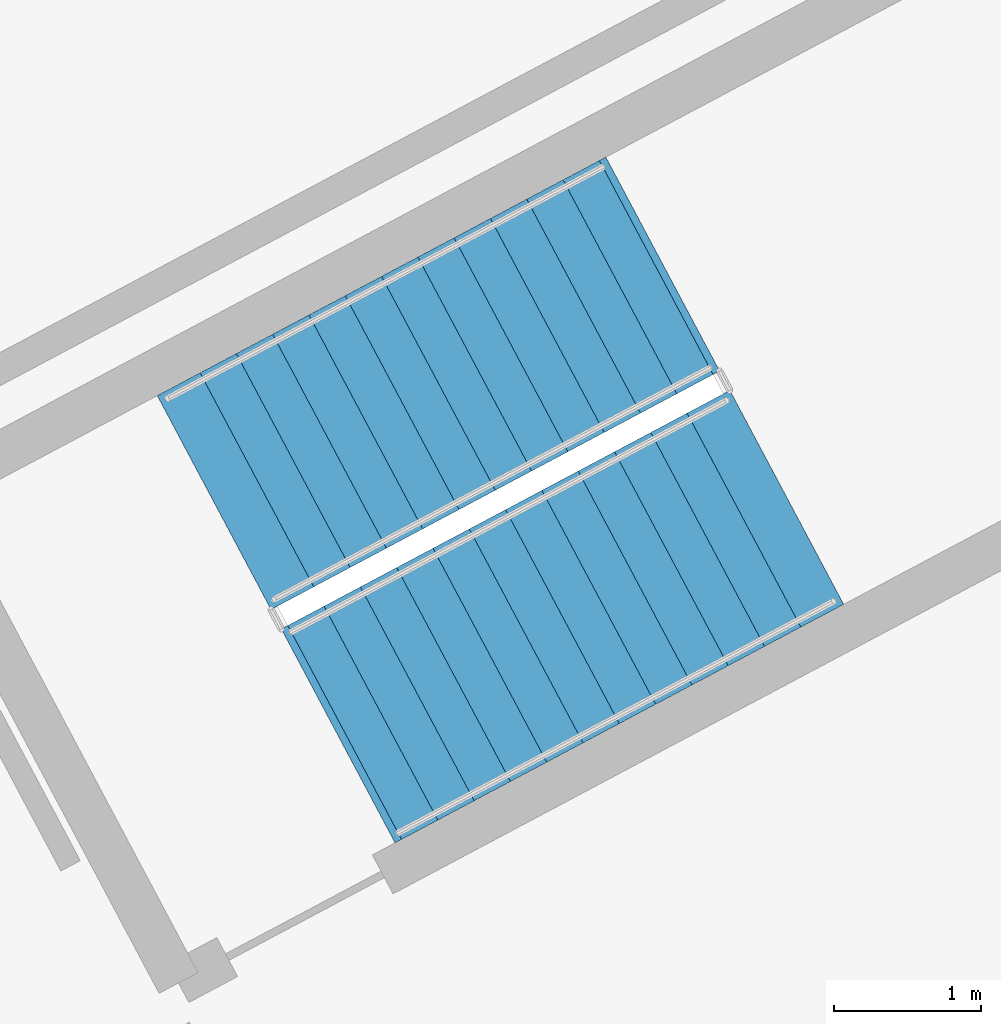
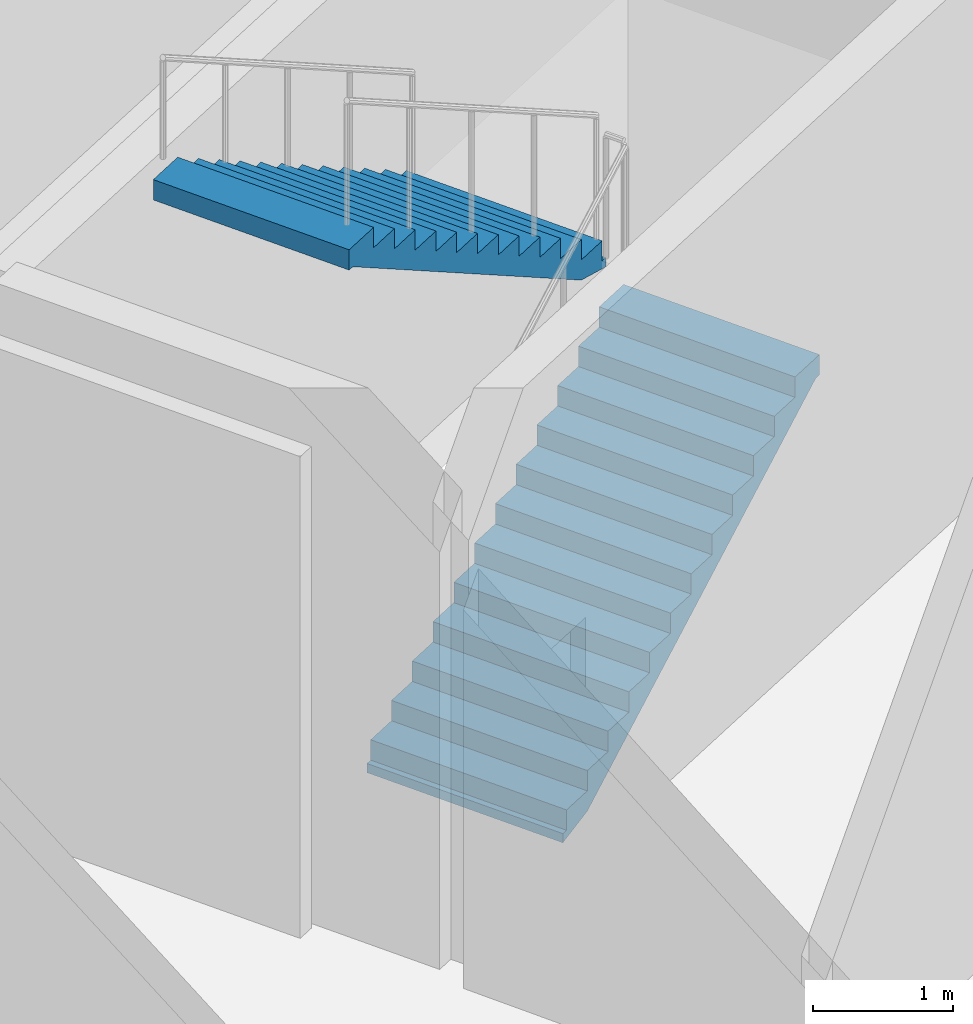
# One storey, part 21 of 32: 2 stair flights, 1 element without a shape of its own.
"""IFC4 building model written with IfcOpenShell, lengths in metres."""

from ifc_helpers import new_model, si_unit, direction, frame, origin, place, context, subcontext, project, spatial, polyline, outline, extrude, material, type_object, element, aggregate, save


model = new_model("IFC4")

# Units and contexts
model_context = context("Model", 3, precision=1e-05, world=origin(), true_north=direction((0.0, 1.0)))
body_context = subcontext(model_context, "Body", "Model", "MODEL_VIEW")
ifc_project = project(units=[si_unit("LENGTHUNIT", "METRE"), si_unit("AREAUNIT", "SQUARE_METRE"), si_unit("VOLUMEUNIT", "CUBIC_METRE"), si_unit("PLANEANGLEUNIT", "RADIAN"), si_unit("MASSUNIT", "GRAM", prefix="KILO")], contexts=[model_context])

# Site, building, storey
site_placement = place(None, origin())
site = spatial("IfcSite", under=ifc_project, at=site_placement, CompositionType="ELEMENT")
building_placement = place(site_placement, origin())
building = spatial("IfcBuilding", under=site, at=building_placement, Name="Cormorant Relay Tower", CompositionType="ELEMENT")
storey_placement = place(building_placement, frame((0.0, 0.0, 75.39990234375)))
storey = spatial("IfcBuildingStorey", under=building, at=storey_placement, Name="L14", CompositionType="ELEMENT", Elevation=75.39990234375)

# Stair, stair flights
ifc_material_1 = material(Name="Concrete 40 MPa", Category="concrete")
stair_type = type_object("IfcStairType", Name="Exit stair 1500", PredefinedType="HALF_TURN_STAIR", material=ifc_material_1)
stair_placement = place(storey_placement, origin())
stair = element("IfcStair", 1, at=stair_placement, inside=storey, type_object=stair_type, Name="L14 Stair", PredefinedType="HALF_TURN_STAIR")
ifc_material_2 = material(Name="Concrete 40 MPa", Category="concrete")
stair_flight_type = type_object("IfcStairFlightType", Name="Exit stair flight 1650", PredefinedType="STRAIGHT", material=ifc_material_2)
stair_flight_1_placement = place(storey_placement, frame((44.947509765625, 31.502197265625, 0.0), z_axis=(0.0, 0.0, 1.0), x_axis=(0.882947502727, 0.4694717323, 0.0)))
stair_flight_1 = element("IfcStairFlight", 2, at=stair_flight_1_placement, type_object=stair_flight_type, Name="RB1 flight 1", NumberOfRisers=13, NumberOfTreads=12, PredefinedType="STRAIGHT", RiserHeight=0.176923077, TreadLength=0.28, context=body_context, shape_type="SweptSolid", body=[
    extrude(outline(polyline([(-0.050048828125, -0.080078125), (-0.050048828125, 0.0), (0.0, 0.0), (0.0, 0.177001953125), (0.280029296875, 0.177001953125), (0.280029296875, 0.353759765625), (0.56005859375, 0.353759765625), (0.56005859375, 0.53076171875), (0.840087890625, 0.53076171875), (0.840087890625, 0.707763671875), (1.1201171875, 0.707763671875), (1.1201171875, 0.884521484375), (1.39990234375, 0.884521484375), (1.39990234375, 1.0615234375), (1.679931640625, 1.0615234375), (1.679931640625, 1.238525390625), (1.9599609375, 1.238525390625), (1.9599609375, 1.415283203125), (2.239990234375, 1.415283203125), (2.239990234375, 1.59228515625), (2.52001953125, 1.59228515625), (2.52001953125, 1.769287109375), (2.800048828125, 1.769287109375), (2.800048828125, 1.946044921875), (3.080078125, 1.946044921875), (3.080078125, 2.123046875), (3.360107421875, 2.123046875), (3.41015625, 2.123046875), (3.41015625, 1.94580078125), (3.360107421875, 1.94580078125), (0.280517578125, 0.0), (-0.050048828125, -0.080078125)])), frame((0.0, 0.824951171875, 0.0), z_axis=(0.0, -1.0, 0.0), x_axis=(1.0, 0.0, 0.0)), (0.0, 0.0, 1.0), 1.64990234375),
])
stair_flight_2_placement = place(storey_placement, frame((47.0693359375, 34.668701171875, 2.300048828125), z_axis=(0.0, 0.0, 1.0), x_axis=(-0.882947502727, -0.4694717323, 0.0)))
stair_flight_2 = element("IfcStairFlight", 3, at=stair_flight_2_placement, type_object=stair_flight_type, Name="RB1 flight 2", NumberOfRisers=13, NumberOfTreads=12, PredefinedType="STRAIGHT", RiserHeight=0.176923077, TreadLength=0.28, context=body_context, shape_type="SweptSolid", body=[
    extrude(outline(polyline([(-0.050048828125, -0.080078125), (-0.050048828125, 0.0), (0.0, 0.0), (0.0, 0.177001953125), (0.280029296875, 0.177001953125), (0.280029296875, 0.353759765625), (0.56005859375, 0.353759765625), (0.56005859375, 0.53076171875), (0.840087890625, 0.53076171875), (0.840087890625, 0.707763671875), (1.1201171875, 0.707763671875), (1.1201171875, 0.884521484375), (1.39990234375, 0.884521484375), (1.39990234375, 1.0615234375), (1.679931640625, 1.0615234375), (1.679931640625, 1.238525390625), (1.9599609375, 1.238525390625), (1.9599609375, 1.415283203125), (2.239990234375, 1.415283203125), (2.239990234375, 1.59228515625), (2.52001953125, 1.59228515625), (2.52001953125, 1.769287109375), (2.800048828125, 1.769287109375), (2.800048828125, 1.946044921875), (3.080078125, 1.946044921875), (3.080078125, 2.123046875), (3.360107421875, 2.123046875), (3.41015625, 2.123046875), (3.41015625, 1.94580078125), (3.360107421875, 1.94580078125), (0.280517578125, 0.0), (-0.050048828125, -0.080078125)])), frame((0.0, 0.824951171875, 0.0), z_axis=(0.0, -1.0, 0.0), x_axis=(1.0, 0.0, 0.0)), (0.0, 0.0, 1.0), 1.64990234375),
])
aggregate(stair, [stair_flight_1, stair_flight_2])

save(model, "model.ifc")
